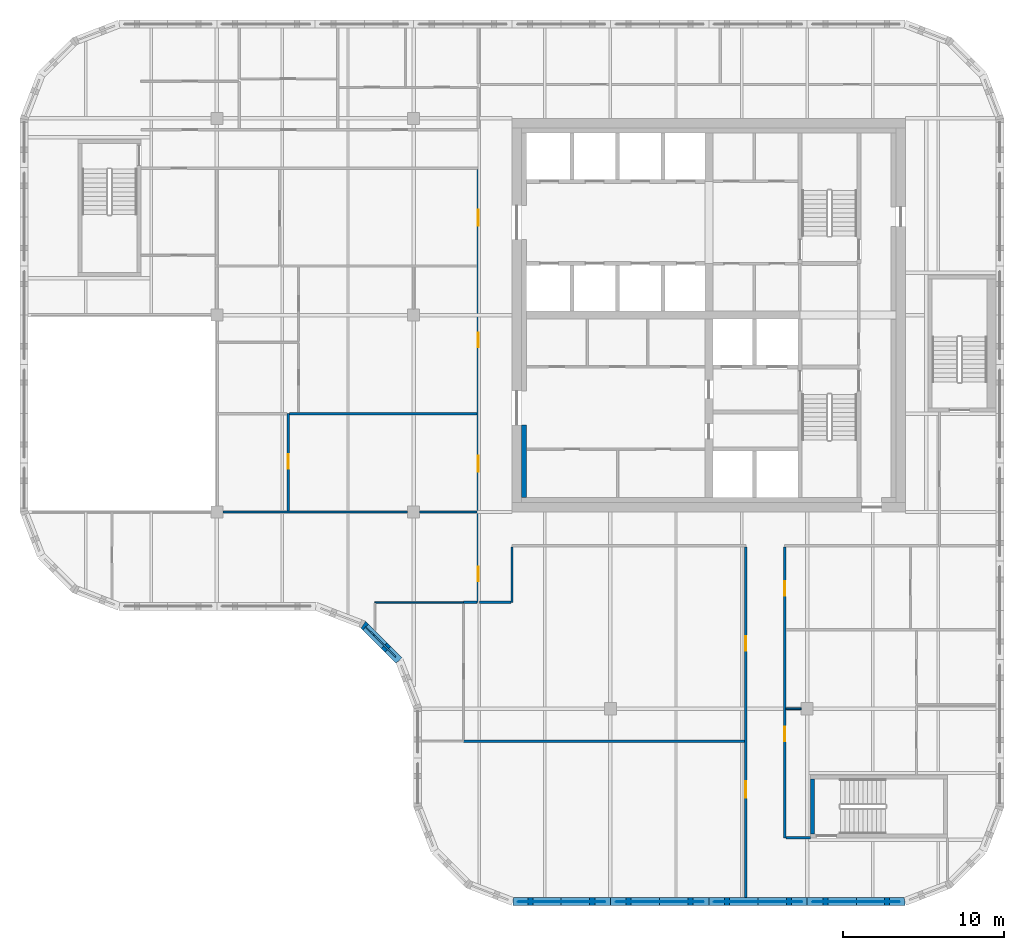
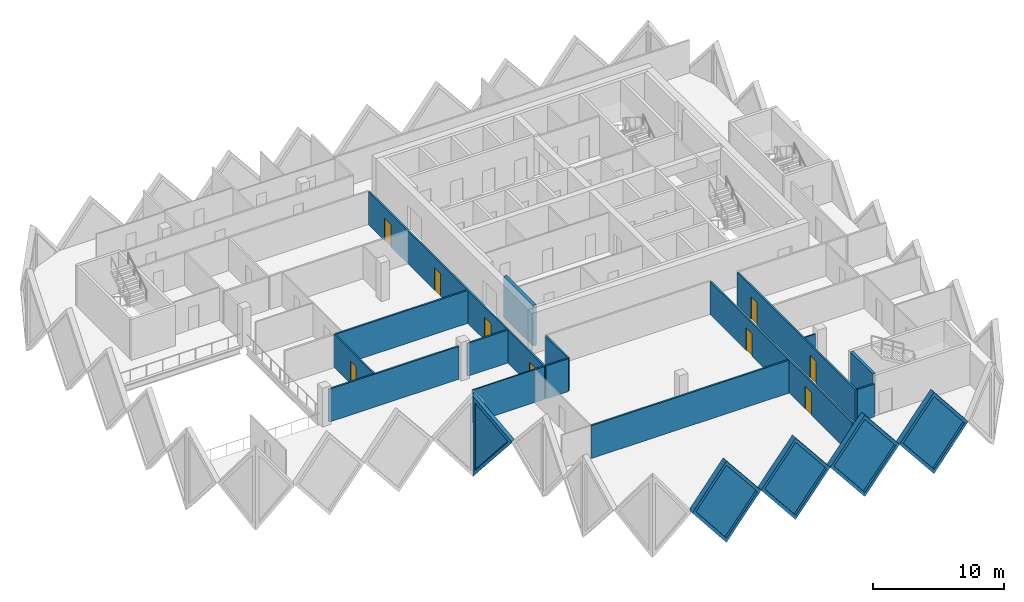
# One storey, part 4 of 11: 21 walls, 9 doors, 5 plates, 14 openings.
"""IFC4 building model written with IfcOpenShell, lengths in metres."""

from ifc_helpers import new_model, si_unit, direction, frame, frame_2d, origin, place, context, subcontext, project, spatial, polyline, rectangle, outline, extrude, faceted_brep, source, transform, mapped, material, layer, layer_set, type_object, element, fill, save


model = new_model("IFC4")

# Units and contexts
model_context = context("Model", 3, precision=1e-05, world=origin(), true_north=direction((0.0, 1.0)))
body_context = subcontext(model_context, "Body", "Model", "MODEL_VIEW")
ifc_project = project(units=[si_unit("LENGTHUNIT", "METRE"), si_unit("AREAUNIT", "SQUARE_METRE"), si_unit("VOLUMEUNIT", "CUBIC_METRE"), si_unit("PLANEANGLEUNIT", "RADIAN"), si_unit("MASSUNIT", "GRAM", prefix="KILO")], contexts=[model_context])

# Site, building, storey
site_placement = place(None, origin())
site = spatial("IfcSite", under=ifc_project, at=site_placement, CompositionType="ELEMENT")
building_placement = place(site_placement, origin())
building = spatial("IfcBuilding", under=site, at=building_placement, Name="Tessera Gate Towers", CompositionType="ELEMENT")
storey_placement = place(building_placement, frame((0.0, 0.0, 174.39990234375)))
storey = spatial("IfcBuildingStorey", under=building, at=storey_placement, Name="L43", CompositionType="ELEMENT", Elevation=174.39990234375)

# Walls
ifc_material_1 = material(Name="Concrete C40/50", Category="concrete")
ifc_layer_1 = layer(ifc_material_1, 0.25)
ifc_layer_set_1 = layer_set([ifc_layer_1], Name="CORE ENCLOSURE WALL 250")
wall_type_1 = type_object("IfcWallType", Name="CORE ENCLOSURE WALL 250", PredefinedType="SOLIDWALL", material=ifc_layer_set_1)
wall_1_placement = place(storey_placement, frame((49.125, 4.449951171875, 0.0), z_axis=(0.0, 0.0, 1.0), x_axis=(0.0, 1.0, 0.0)))
element("IfcWall", 1, at=wall_1_placement, inside=storey, type_object=wall_type_1, Name="L43 ST4 enclosure wall", PredefinedType="SOLIDWALL", context=body_context, shape_type="SweptSolid", body=[
    extrude(rectangle(XDim=3.400146484375, YDim=0.25, at=frame_2d((1.7001953125, 0.0))), origin(), (0.0, 0.0, 1.0), 3.800048828125),
])
ifc_material_2 = material(Name="Concrete C50/60", Category="concrete")
ifc_layer_2 = layer(ifc_material_2, 0.300048828125)
ifc_layer_set_2 = layer_set([ifc_layer_2], Name="CORE WALL THICKENING 300")
wall_type_2 = type_object("IfcWallType", Name="CORE WALL THICKENING 300", PredefinedType="SOLIDWALL", material=ifc_layer_set_2)
wall_2_placement = place(storey_placement, frame((31.25, 25.300048828125, 0.0), z_axis=(0.0, 0.0, 1.0), x_axis=(0.0, 1.0, 0.0)))
element("IfcWall", 2, at=wall_2_placement, inside=storey, type_object=wall_type_2, Name="Core wall thickening W L43", PredefinedType="SOLIDWALL", context=body_context, shape_type="SweptSolid", body=[
    extrude(rectangle(XDim=4.5, YDim=0.300048828125, at=frame_2d((2.25, 0.0))), origin(), (0.0, 0.0, 1.0), 3.800048828125),
])

# Wall, openings, doors
ifc_material_3 = material(Name="Gypsum board on steel studs, mineral wool", Category="steel")
ifc_layer_3 = layer(ifc_material_3, 0.14990234375)
ifc_layer_set_3 = layer_set([ifc_layer_3], Name="CORRIDOR WALL 150")
wall_type_3 = type_object("IfcWallType", Name="CORRIDOR WALL 150", PredefinedType="PARTITIONING", material=ifc_layer_set_3)
wall_3_placement = place(storey_placement, frame((45.0, 0.5, 0.0), z_axis=(0.0, 0.0, 1.0), x_axis=(0.0, 1.0, 0.0)))
wall_3 = element("IfcWall", 3, at=wall_3_placement, inside=storey, type_object=wall_type_3, Name="T1-L43-PW-001", PredefinedType="PARTITIONING", context=body_context, shape_type="SweptSolid", body=[
    extrude(rectangle(XDim=21.72412109375, YDim=0.14990234375, at=frame_2d((10.862060546875, 0.0))), origin(), (0.0, 0.0, 1.0), 3.067138671875),
])
shared_shape_1 = source(origin(), body_context, "Body", "SweptSolid", [
    extrude(rectangle(XDim=1.0, YDim=2.10009765625, at=frame_2d((0.5, 1.050048828125))), frame((0.0, 0.0849609375, 0.0), z_axis=(0.0, -1.0, 0.0), x_axis=(1.0, 0.0, 0.0)), (0.0, 0.0, 1.0), 0.169921875),
])
opening_1_placement = place(wall_3_placement, frame((6.199951171875, 0.0, 0.0)))
opening_1 = element("IfcOpeningElement", 4, at=opening_1_placement, cuts=wall_3, Name="Opening D2100FD60-A15-02", PredefinedType="OPENING", context=body_context, shape_type="MappedRepresentation", body=[
    mapped(shared_shape_1, transform((0.0, 0.0, 0.0), scale=1.0)),
])
shared_shape_2 = source(origin(), body_context, "Body", "SweptSolid", [
    extrude(rectangle(XDim=0.89990234375, YDim=2.10009765625, at=frame_2d((0.449951171875, 1.050048828125))), frame((0.0, 0.0849609375, 0.0), z_axis=(0.0, -1.0, 0.0), x_axis=(1.0, 0.0, 0.0)), (0.0, 0.0, 1.0), 0.169921875),
])
opening_2_placement = place(wall_3_placement, frame((15.300048828125, 0.0, 0.0)))
opening_2 = element("IfcOpeningElement", 5, at=opening_2_placement, cuts=wall_3, Name="Opening D890FD60-A15-09", PredefinedType="OPENING", context=body_context, shape_type="MappedRepresentation", body=[
    mapped(shared_shape_2, transform((0.0, 0.0, 0.0), scale=1.0)),
])
ifc_material_4 = material(Name="Timber door leaf in steel frame", Category="steel")
door_type_1 = type_object("IfcDoorType", Name="CORRIDOR DOOR 900 FD60", OperationType="NOTDEFINED", PredefinedType="DOOR", material=ifc_material_4)
shared_shape_3 = source(origin(), body_context, "Body", "SweptSolid", [
    extrude(rectangle(XDim=0.89990234375, YDim=2.10009765625, at=frame_2d((0.449951171875, 1.050048828125))), frame((0.0, 0.02490234375, 0.0), z_axis=(0.0, -1.0, 0.0), x_axis=(1.0, 0.0, 0.0)), (0.0, 0.0, 1.0), 0.050048828125),
])
door_1_placement = place(opening_2_placement, origin())
door_1 = element("IfcDoor", 6, at=door_1_placement, inside=storey, type_object=door_type_1, Name="T1-L43-PD-026", OperationType="SINGLE_SWING_LEFT", OverallHeight=2.10009765625, OverallWidth=0.89990234375, PredefinedType="DOOR", context=body_context, shape_type="MappedRepresentation", body=[
    mapped(shared_shape_3, transform((0.0, 0.0, 0.0), scale=1.0)),
])
fill(opening_2, door_1)
ifc_material_5 = material(Name="Timber door leaf in steel frame", Category="steel")
door_type_2 = type_object("IfcDoorType", Name="TENANCY ENTRANCE DOOR 1000 FD60", OperationType="NOTDEFINED", PredefinedType="DOOR", material=ifc_material_5)
shared_shape_4 = source(origin(), body_context, "Body", "SweptSolid", [
    extrude(rectangle(XDim=1.0, YDim=2.10009765625, at=frame_2d((0.5, 1.050048828125))), frame((0.0, 0.02490234375, 0.0), z_axis=(0.0, -1.0, 0.0), x_axis=(1.0, 0.0, 0.0)), (0.0, 0.0, 1.0), 0.050048828125),
])
door_2_placement = place(opening_1_placement, origin())
door_2 = element("IfcDoor", 7, at=door_2_placement, inside=storey, type_object=door_type_2, Name="T1-L43-PD-016", OperationType="SINGLE_SWING_LEFT", OverallHeight=2.10009765625, OverallWidth=1.0, PredefinedType="DOOR", context=body_context, shape_type="MappedRepresentation", body=[
    mapped(shared_shape_4, transform((0.0, 0.0, 0.0), scale=1.0)),
])
fill(opening_1, door_2)

wall_4_placement = place(storey_placement, frame((47.39990234375, 22.22412109375, 0.0), z_axis=(0.0, 0.0, 1.0), x_axis=(0.0, -1.0, 0.0)))
wall_4 = element("IfcWall", 8, at=wall_4_placement, inside=storey, type_object=wall_type_3, Name="T1-L43-PW-003", PredefinedType="PARTITIONING", context=body_context, shape_type="SweptSolid", body=[
    extrude(rectangle(XDim=18.024169921875, YDim=0.14990234375, at=frame_2d((9.01220703125, 0.0))), origin(), (0.0, 0.0, 1.0), 3.067138671875),
])
opening_3_placement = place(wall_4_placement, frame((2.123046875, 0.0, 0.0)))
opening_3 = element("IfcOpeningElement", 9, at=opening_3_placement, cuts=wall_4, Name="Opening D890FD60-A15-03", PredefinedType="OPENING", context=body_context, shape_type="MappedRepresentation", body=[
    mapped(shared_shape_2, transform((0.0, 0.0, 0.0), scale=1.0)),
])
opening_4_placement = place(wall_4_placement, frame((11.1240234375, 0.0, 0.0)))
opening_4 = element("IfcOpeningElement", 10, at=opening_4_placement, cuts=wall_4, Name="Opening D890FD60-A15-10", PredefinedType="OPENING", context=body_context, shape_type="MappedRepresentation", body=[
    mapped(shared_shape_2, transform((0.0, 0.0, 0.0), scale=1.0)),
])
door_3_placement = place(opening_3_placement, origin())
door_3 = element("IfcDoor", 11, at=door_3_placement, inside=storey, type_object=door_type_1, Name="T1-L43-PD-011", OperationType="SINGLE_SWING_RIGHT", OverallHeight=2.10009765625, OverallWidth=0.89990234375, PredefinedType="DOOR", context=body_context, shape_type="MappedRepresentation", body=[
    mapped(shared_shape_3, transform((0.0, 0.0, 0.0), scale=1.0)),
])
fill(opening_3, door_3)
door_4_placement = place(opening_4_placement, origin())
door_4 = element("IfcDoor", 12, at=door_4_placement, inside=storey, type_object=door_type_1, Name="T1-L43-PD-027", OperationType="SINGLE_SWING_RIGHT", OverallHeight=2.10009765625, OverallWidth=0.89990234375, PredefinedType="DOOR", context=body_context, shape_type="MappedRepresentation", body=[
    mapped(shared_shape_3, transform((0.0, 0.0, 0.0), scale=1.0)),
])
fill(opening_4, door_4)

# Wall
wall_5_placement = place(storey_placement, frame((47.47607421875, 4.199951171875, 0.0), z_axis=(0.0, 0.0, 1.0), x_axis=(1.0, 0.0, 0.0)))
element("IfcWall", 13, at=wall_5_placement, inside=storey, type_object=wall_type_3, Name="T1-L43-PW-004", PredefinedType="PARTITIONING", context=body_context, shape_type="SweptSolid", body=[
    extrude(rectangle(XDim=1.52392578125, YDim=0.14990234375, at=frame_2d((0.761962890625, 0.0))), origin(), (0.0, 0.0, 1.0), 3.067138671875),
])

# Wall, openings, doors
wall_6_placement = place(storey_placement, frame((28.39990234375, 18.800048828125, 0.0), z_axis=(0.0, 0.0, 1.0), x_axis=(0.0, 1.0, 0.0)))
wall_6 = element("IfcWall", 14, at=wall_6_placement, inside=storey, type_object=wall_type_3, Name="T1-L43-PW-017", PredefinedType="PARTITIONING", context=body_context, shape_type="SweptSolid", body=[
    extrude(rectangle(XDim=26.823974609375, YDim=0.14990234375, at=frame_2d((13.412109375, 0.0))), origin(), (0.0, 0.0, 1.0), 3.067138671875),
])
opening_5_placement = place(wall_6_placement, frame((1.300048828125, 0.0, 0.0)))
opening_5 = element("IfcOpeningElement", 15, at=opening_5_placement, cuts=wall_6, Name="Opening D890FD60-A15-01", PredefinedType="OPENING", context=body_context, shape_type="MappedRepresentation", body=[
    mapped(shared_shape_2, transform((0.0, 0.0, 0.0), scale=1.0)),
])
opening_6_placement = place(wall_6_placement, frame((23.35107421875, 0.0, 0.0)))
opening_6 = element("IfcOpeningElement", 16, at=opening_6_placement, cuts=wall_6, Name="Opening D2100FD60-A15-01", PredefinedType="OPENING", context=body_context, shape_type="MappedRepresentation", body=[
    mapped(shared_shape_1, transform((0.0, 0.0, 0.0), scale=1.0)),
])
opening_7_placement = place(wall_6_placement, frame((8.10009765625, 0.0, 0.0)))
opening_7 = element("IfcOpeningElement", 17, at=opening_7_placement, cuts=wall_6, Name="Opening D2100FD60-A15-03", PredefinedType="OPENING", context=body_context, shape_type="MappedRepresentation", body=[
    mapped(shared_shape_1, transform((0.0, 0.0, 0.0), scale=1.0)),
])
opening_8_placement = place(wall_6_placement, frame((15.800048828125, 0.0, 0.0)))
opening_8 = element("IfcOpeningElement", 18, at=opening_8_placement, cuts=wall_6, Name="Opening D890FD60-A15-08", PredefinedType="OPENING", context=body_context, shape_type="MappedRepresentation", body=[
    mapped(shared_shape_2, transform((0.0, 0.0, 0.0), scale=1.0)),
])
door_5_placement = place(opening_5_placement, origin())
door_5 = element("IfcDoor", 19, at=door_5_placement, inside=storey, type_object=door_type_1, Name="T1-L43-PD-001", OperationType="SINGLE_SWING_LEFT", OverallHeight=2.10009765625, OverallWidth=0.89990234375, PredefinedType="DOOR", context=body_context, shape_type="MappedRepresentation", body=[
    mapped(shared_shape_3, transform((0.0, 0.0, 0.0), scale=1.0)),
])
fill(opening_5, door_5)
door_6_placement = place(opening_8_placement, origin())
door_6 = element("IfcDoor", 20, at=door_6_placement, inside=storey, type_object=door_type_1, Name="T1-L43-PD-025", OperationType="SINGLE_SWING_LEFT", OverallHeight=2.10009765625, OverallWidth=0.89990234375, PredefinedType="DOOR", context=body_context, shape_type="MappedRepresentation", body=[
    mapped(shared_shape_3, transform((0.0, 0.0, 0.0), scale=1.0)),
])
fill(opening_8, door_6)
door_7_placement = place(opening_6_placement, origin())
door_7 = element("IfcDoor", 21, at=door_7_placement, inside=storey, type_object=door_type_2, Name="T1-L43-PD-014", OperationType="SINGLE_SWING_LEFT", OverallHeight=2.10009765625, OverallWidth=1.0, PredefinedType="DOOR", context=body_context, shape_type="MappedRepresentation", body=[
    mapped(shared_shape_4, transform((0.0, 0.0, 0.0), scale=1.0)),
])
fill(opening_6, door_7)
door_8_placement = place(opening_7_placement, origin())
door_8 = element("IfcDoor", 22, at=door_8_placement, inside=storey, type_object=door_type_2, Name="T1-L43-PD-020", OperationType="SINGLE_SWING_LEFT", OverallHeight=2.10009765625, OverallWidth=1.0, PredefinedType="DOOR", context=body_context, shape_type="MappedRepresentation", body=[
    mapped(shared_shape_4, transform((0.0, 0.0, 0.0), scale=1.0)),
])
fill(opening_7, door_8)

# Walls
wall_7_placement = place(storey_placement, frame((28.47607421875, 18.800048828125, 0.0), z_axis=(0.0, 0.0, 1.0), x_axis=(1.0, 0.0, 0.0)))
element("IfcWall", 23, at=wall_7_placement, inside=storey, type_object=wall_type_3, Name="T1-L43-PW-018", PredefinedType="PARTITIONING", context=body_context, shape_type="SweptSolid", body=[
    extrude(rectangle(XDim=1.947998046875, YDim=0.14990234375, at=frame_2d((0.97412109375, 0.0))), origin(), (0.0, 0.0, 1.0), 3.067138671875),
])
wall_8_placement = place(storey_placement, frame((30.5, 18.800048828125, 0.0), z_axis=(0.0, 0.0, 1.0), x_axis=(0.0, 1.0, 0.0)))
element("IfcWall", 24, at=wall_8_placement, inside=storey, type_object=wall_type_3, Name="T1-L43-PW-019", PredefinedType="PARTITIONING", context=body_context, shape_type="SweptSolid", body=[
    extrude(rectangle(XDim=3.424072265625, YDim=0.14990234375, at=frame_2d((1.7119140625, 0.0))), origin(), (0.0, 0.0, 1.0), 3.067138671875),
])
ifc_material_6 = material(Name="Glass", Category="glass")
ifc_layer_4 = layer(ifc_material_6, 0.10009765625)
ifc_layer_set_4 = layer_set([ifc_layer_4], Name="GLAZED PARTITION 100")
wall_type_4 = type_object("IfcWallType", Name="GLAZED PARTITION 100", PredefinedType="PARTITIONING", material=ifc_layer_set_4)
wall_9_placement = place(storey_placement, frame((22.0, 18.800048828125, 0.0), z_axis=(0.0, 0.0, 1.0), x_axis=(1.0, 0.0, 0.0)))
element("IfcWall", 25, at=wall_9_placement, inside=storey, type_object=wall_type_4, Name="T1-L43-PW-015", PredefinedType="PARTITIONING", context=body_context, shape_type="SweptSolid", body=[
    extrude(rectangle(XDim=5.4990234375, YDim=0.10009765625, at=frame_2d((2.74951171875, 0.0))), origin(), (0.0, 0.0, 1.0), 3.067138671875),
])
ifc_material_7 = material(Name="Gypsum board on steel studs", Category="steel")
ifc_layer_5 = layer(ifc_material_7, 0.10009765625)
ifc_layer_set_5 = layer_set([ifc_layer_5], Name="PARTITION 100")
wall_type_5 = type_object("IfcWallType", Name="PARTITION 100", PredefinedType="PARTITIONING", material=ifc_layer_set_5)
wall_10_placement = place(storey_placement, frame((48.425048828125, 12.199951171875, 0.0), z_axis=(0.0, 0.0, 1.0), x_axis=(-1.0, 0.0, 0.0)))
element("IfcWall", 26, at=wall_10_placement, inside=storey, type_object=wall_type_5, Name="T1-L43-PW-009", PredefinedType="PARTITIONING", context=body_context, shape_type="SweptSolid", body=[
    extrude(rectangle(XDim=0.949951171875, YDim=0.10009765625, at=frame_2d((0.47509765625, 0.0))), origin(), (0.0, 0.0, 1.0), 3.067138671875),
])
ifc_material_8 = material(Name="Gypsum board on steel studs, mineral wool", Category="steel")
ifc_layer_6 = layer(ifc_material_8, 0.14990234375)
ifc_layer_set_6 = layer_set([ifc_layer_6], Name="TENANCY WALL 150")
wall_type_6 = type_object("IfcWallType", Name="TENANCY WALL 150", PredefinedType="PARTITIONING", material=ifc_layer_set_6)
wall_11_placement = place(storey_placement, frame((27.5, 10.199951171875, 0.0), z_axis=(0.0, 0.0, 1.0), x_axis=(1.0, 0.0, 0.0)))
element("IfcWall", 27, at=wall_11_placement, inside=storey, type_object=wall_type_6, Name="T1-L43-PW-007", PredefinedType="PARTITIONING", context=body_context, shape_type="SweptSolid", body=[
    extrude(rectangle(XDim=17.424072265625, YDim=0.14990234375, at=frame_2d((8.7119140625, 0.0))), origin(), (0.0, 0.0, 1.0), 3.067138671875),
])
wall_12_placement = place(storey_placement, frame((27.5, 18.800048828125, 0.0), z_axis=(0.0, 0.0, 1.0), x_axis=(1.0, 0.0, 0.0)))
element("IfcWall", 28, at=wall_12_placement, inside=storey, type_object=wall_type_6, Name="T1-L43-PW-016", PredefinedType="PARTITIONING", context=body_context, shape_type="SweptSolid", body=[
    extrude(rectangle(XDim=0.823974609375, YDim=0.14990234375, at=frame_2d((0.412109375, 0.0))), origin(), (0.0, 0.0, 1.0), 3.067138671875),
])
wall_13_placement = place(storey_placement, frame((12.575927734375, 24.39990234375, 0.0), z_axis=(0.0, 0.0, 1.0), x_axis=(1.0, 0.0, 0.0)))
element("IfcWall", 29, at=wall_13_placement, inside=storey, type_object=wall_type_6, Name="T1-L43-PW-025", PredefinedType="PARTITIONING", context=body_context, shape_type="SweptSolid", body=[
    extrude(rectangle(XDim=11.447998046875, YDim=0.14990234375, at=frame_2d((5.72412109375, 0.0))), origin(), (0.0, 0.0, 1.0), 3.067138671875),
])
wall_14_placement = place(storey_placement, frame((24.77587890625, 24.39990234375, 0.0), z_axis=(0.0, 0.0, 1.0), x_axis=(1.0, 0.0, 0.0)))
element("IfcWall", 30, at=wall_14_placement, inside=storey, type_object=wall_type_6, Name="T1-L43-PW-026", PredefinedType="PARTITIONING", context=body_context, shape_type="SweptSolid", body=[
    extrude(rectangle(XDim=3.548095703125, YDim=0.14990234375, at=frame_2d((1.77392578125, 0.0))), origin(), (0.0, 0.0, 1.0), 3.067138671875),
])

# Wall, opening, door
wall_15_placement = place(storey_placement, frame((16.625, 24.47607421875, 0.0), z_axis=(0.0, 0.0, 1.0), x_axis=(0.0, 1.0, 0.0)))
wall_15 = element("IfcWall", 31, at=wall_15_placement, inside=storey, type_object=wall_type_6, Name="T1-L43-PW-027", PredefinedType="PARTITIONING", context=body_context, shape_type="SweptSolid", body=[
    extrude(rectangle(XDim=6.02392578125, YDim=0.14990234375, at=frame_2d((3.011962890625, 0.0))), origin(), (0.0, 0.0, 1.0), 3.067138671875),
])
opening_9_placement = place(wall_15_placement, frame((2.60009765625, 0.0, 0.0)))
opening_9 = element("IfcOpeningElement", 32, at=opening_9_placement, cuts=wall_15, Name="Opening D190-A15-12", PredefinedType="OPENING", context=body_context, shape_type="MappedRepresentation", body=[
    mapped(shared_shape_2, transform((0.0, 0.0, 0.0), scale=1.0)),
])
ifc_material_9 = material(Name="Timber door leaf in steel frame", Category="steel")
door_type_3 = type_object("IfcDoorType", Name="INTERNAL DOOR 900 NOT RATED", OperationType="NOTDEFINED", PredefinedType="DOOR", material=ifc_material_9)
door_9_placement = place(opening_9_placement, origin())
door_9 = element("IfcDoor", 33, at=door_9_placement, inside=storey, type_object=door_type_3, Name="T1-L43-PD-018", OperationType="SINGLE_SWING_LEFT", OverallHeight=2.10009765625, OverallWidth=0.89990234375, PredefinedType="DOOR", context=body_context, shape_type="MappedRepresentation", body=[
    mapped(shared_shape_3, transform((0.0, 0.0, 0.0), scale=1.0)),
])
fill(opening_9, door_9)

# Wall
wall_16_placement = place(storey_placement, frame((16.700927734375, 30.5, 0.0), z_axis=(0.0, 0.0, 1.0), x_axis=(1.0, 0.0, 0.0)))
element("IfcWall", 34, at=wall_16_placement, inside=storey, type_object=wall_type_6, Name="T1-L43-PW-029", PredefinedType="PARTITIONING", context=body_context, shape_type="SweptSolid", body=[
    extrude(rectangle(XDim=11.623046875, YDim=0.14990234375, at=frame_2d((5.8115234375, 0.0))), origin(), (0.0, 0.0, 1.0), 3.067138671875),
])

# Wall, opening, plate
ifc_material_10 = material(Name="Precast concrete C60/75 white", Category="concrete")
ifc_layer_7 = layer(ifc_material_10, 0.5)
ifc_layer_set_7 = layer_set([ifc_layer_7], Name="TS1 tessera")
wall_type_7 = type_object("IfcWallType", Name="TS1 tessera", PredefinedType="SOLIDWALL", material=ifc_layer_set_7)
shared_shape_5 = source(origin(), body_context, "Body", "Brep", [
    faceted_brep([(3.050048828125, -0.25, 0.0), (6.099853515625, -0.25, 3.799560546875), (6.099853515625, -0.25, 3.800048828125), (3.050048828125, -0.25, 7.599853515625), (0.0, -0.25, 3.7998046875), (0.0, 0.25, 3.7998046875), (3.050048828125, 0.25, 7.599853515625), (6.099853515625, 0.25, 3.800048828125), (6.099853515625, 0.25, 3.799560546875), (3.050048828125, 0.25, 0.0)], [[[0, 1, 2, 3, 4]], [[5, 6, 7, 8, 9]], [[9, 8, 1, 0]], [[7, 6, 3, 2]], [[6, 5, 4, 3]], [[5, 9, 0, 4]], [[1, 8, 7, 2]]]),
])
wall_17_placement = place(storey_placement, frame((36.60009765625, 0.25, -3.7998046875), z_axis=(0.0, 0.0, 1.0), x_axis=(1.0, 0.0, 0.0)))
wall_17 = element("IfcWall", 35, at=wall_17_placement, inside=storey, type_object=wall_type_7, Name="Precast tessera T1 TS1-0737", PredefinedType="SOLIDWALL", context=body_context, shape_type="MappedRepresentation", body=[
    mapped(shared_shape_5, transform((0.0, 0.0, 0.0), scale=1.0)),
])
shared_shape_6 = source(origin(), body_context, "Body", "SweptSolid", [
    extrude(outline(polyline([(3.050048828125, 0.3994140625), (5.779541015625, 3.7998046875), (3.050048828125, 7.200439453125), (0.320556640625, 3.7998046875), (3.050048828125, 0.3994140625)])), frame((0.0, 0.260009765625, 0.0), z_axis=(0.0, -1.0, 0.0), x_axis=(1.0, 0.0, 0.0)), (0.0, 0.0, 1.0), 0.52001953125),
])
opening_10_placement = place(wall_17_placement, origin())
opening_10 = element("IfcOpeningElement", 36, at=opening_10_placement, cuts=wall_17, Name="Opening T1-PL2-1505", PredefinedType="OPENING", context=body_context, shape_type="MappedRepresentation", body=[
    mapped(shared_shape_6, transform((0.0, 0.0, 0.0), scale=1.0)),
])
ifc_material_11 = material(Name="Low-e laminated glass", Category="glass")
ifc_layer_8 = layer(ifc_material_11, 0.06005859375)
ifc_layer_set_8 = layer_set([ifc_layer_8], Name="PL2 rhombic pane")
plate_type = type_object("IfcPlateType", Name="PL2 rhombic pane", PredefinedType="SHEET", material=ifc_layer_set_8)
shared_shape_7 = source(origin(), body_context, "Body", "SweptSolid", [
    extrude(outline(polyline([(3.050048828125, 0.3994140625), (5.779541015625, 3.7998046875), (3.050048828125, 7.200439453125), (0.320556640625, 3.7998046875), (3.050048828125, 0.3994140625)])), frame((0.0, 0.030029296875, 0.0), z_axis=(0.0, -1.0, 0.0), x_axis=(1.0, 0.0, 0.0)), (0.0, 0.0, 1.0), 0.06005859375),
])
plate_1_placement = place(opening_10_placement, origin())
plate_1 = element("IfcPlate", 37, at=plate_1_placement, inside=storey, type_object=plate_type, Name="Glass pane T1 PL2-1505", PredefinedType="SHEET", context=body_context, shape_type="MappedRepresentation", body=[
    mapped(shared_shape_7, transform((0.0, 0.0, 0.0), scale=1.0)),
])
fill(opening_10, plate_1)

shared_shape_8 = source(origin(), body_context, "Body", "SweptSolid", [
    extrude(outline(polyline([(3.050048828125, 0.0), (6.10009765625, 3.7998046875), (3.050048828125, 7.599853515625), (0.0, 3.7998046875), (3.050048828125, 0.0)])), frame((0.0, 0.25, 0.0), z_axis=(0.0, -1.0, 0.0), x_axis=(1.0, 0.0, 0.0)), (0.0, 0.0, 1.0), 0.5),
])
wall_18_placement = place(storey_placement, frame((42.699951171875, 0.25, -3.7998046875), z_axis=(0.0, 0.0, 1.0), x_axis=(1.0, 0.0, 0.0)))
wall_18 = element("IfcWall", 38, at=wall_18_placement, inside=storey, type_object=wall_type_7, Name="Precast tessera T1 TS1-0738", PredefinedType="SOLIDWALL", context=body_context, shape_type="MappedRepresentation", body=[
    mapped(shared_shape_8, transform((0.0, 0.0, 0.0), scale=1.0)),
])
opening_11_placement = place(wall_18_placement, origin())
opening_11 = element("IfcOpeningElement", 39, at=opening_11_placement, cuts=wall_18, Name="Opening T1-PL2-1506", PredefinedType="OPENING", context=body_context, shape_type="MappedRepresentation", body=[
    mapped(shared_shape_6, transform((0.0, 0.0, 0.0), scale=1.0)),
])
plate_2_placement = place(opening_11_placement, origin())
plate_2 = element("IfcPlate", 40, at=plate_2_placement, inside=storey, type_object=plate_type, Name="Glass pane T1 PL2-1506", PredefinedType="SHEET", context=body_context, shape_type="MappedRepresentation", body=[
    mapped(shared_shape_7, transform((0.0, 0.0, 0.0), scale=1.0)),
])
fill(opening_11, plate_2)

shared_shape_9 = source(origin(), body_context, "Body", "Brep", [
    faceted_brep([(3.00341796875, -0.25, 0.0), (6.053466796875, -0.25, 3.7998046875), (3.00341796875, -0.25, 7.599853515625), (0.0, -0.25, 3.7998046875), (0.046630859375, 0.25, 3.858642578125), (3.00341796875, 0.25, 7.599853515625), (6.053466796875, 0.25, 3.7998046875), (3.00341796875, 0.25, 0.0), (0.046630859375, 0.25, 3.740966796875), (0.0, 0.0, 3.7998046875)], [[[0, 1, 2, 3]], [[4, 5, 6, 7, 8]], [[7, 6, 1, 0]], [[6, 5, 2, 1]], [[5, 4, 9, 3, 2]], [[8, 7, 0, 3, 9]], [[8, 9, 4]]]),
])
wall_19_placement = place(storey_placement, frame((30.546630859375, 0.25, -3.7998046875), z_axis=(0.0, 0.0, 1.0), x_axis=(1.0, 0.0, 0.0)))
wall_19 = element("IfcWall", 41, at=wall_19_placement, inside=storey, type_object=wall_type_7, Name="Precast tessera T1 TS1-0736", PredefinedType="SOLIDWALL", context=body_context, shape_type="MappedRepresentation", body=[
    mapped(shared_shape_9, transform((0.0, 0.0, 0.0), scale=1.0)),
])
shared_shape_10 = source(origin(), body_context, "Body", "SweptSolid", [
    extrude(outline(polyline([(3.0048828125, 0.401123046875), (5.73291015625, 3.7998046875), (3.0048828125, 7.19873046875), (0.318603515625, 3.7998046875), (3.0048828125, 0.401123046875)])), frame((0.0, 0.260009765625, 0.0), z_axis=(0.0, -1.0, 0.0), x_axis=(1.0, 0.0, 0.0)), (0.0, 0.0, 1.0), 0.52001953125),
])
opening_12_placement = place(wall_19_placement, origin())
opening_12 = element("IfcOpeningElement", 42, at=opening_12_placement, cuts=wall_19, Name="Opening T1-PL2-1504", PredefinedType="OPENING", context=body_context, shape_type="MappedRepresentation", body=[
    mapped(shared_shape_10, transform((0.0, 0.0, 0.0), scale=1.0)),
])
shared_shape_11 = source(origin(), body_context, "Body", "SweptSolid", [
    extrude(outline(polyline([(3.0048828125, 0.401123046875), (5.73291015625, 3.7998046875), (3.0048828125, 7.19873046875), (0.318603515625, 3.7998046875), (3.0048828125, 0.401123046875)])), frame((0.0, 0.030029296875, 0.0), z_axis=(0.0, -1.0, 0.0), x_axis=(1.0, 0.0, 0.0)), (0.0, 0.0, 1.0), 0.06005859375),
])
plate_3_placement = place(opening_12_placement, origin())
plate_3 = element("IfcPlate", 43, at=plate_3_placement, inside=storey, type_object=plate_type, Name="Glass pane T1 PL2-1504", PredefinedType="SHEET", context=body_context, shape_type="MappedRepresentation", body=[
    mapped(shared_shape_11, transform((0.0, 0.0, 0.0), scale=1.0)),
])
fill(opening_12, plate_3)

shared_shape_12 = source(origin(), body_context, "Body", "Brep", [
    faceted_brep([(3.050048828125, -0.25, 0.0), (6.053466796875, -0.25, 3.7998046875), (3.050048828125, -0.25, 7.599853515625), (0.0, -0.25, 3.7998046875), (0.0, 0.25, 3.7998046875), (3.050048828125, 0.25, 7.599853515625), (6.0068359375, 0.25, 3.858642578125), (6.0068359375, 0.25, 3.740966796875), (3.050048828125, 0.25, 0.0), (6.053466796875, 0.0, 3.7998046875)], [[[0, 1, 2, 3]], [[4, 5, 6, 7, 8]], [[8, 7, 9, 1, 0]], [[6, 5, 2, 1, 9]], [[5, 4, 3, 2]], [[4, 8, 0, 3]], [[9, 7, 6]]]),
])
wall_20_placement = place(storey_placement, frame((48.800048828125, 0.25, -3.7998046875), z_axis=(0.0, 0.0, 1.0), x_axis=(1.0, 0.0, 0.0)))
wall_20 = element("IfcWall", 44, at=wall_20_placement, inside=storey, type_object=wall_type_7, Name="Precast tessera T1 TS1-0739", PredefinedType="SOLIDWALL", context=body_context, shape_type="MappedRepresentation", body=[
    mapped(shared_shape_12, transform((0.0, 0.0, 0.0), scale=1.0)),
])
shared_shape_13 = source(origin(), body_context, "Body", "SweptSolid", [
    extrude(outline(polyline([(3.048583984375, 0.401123046875), (5.73486328125, 3.7998046875), (3.048583984375, 7.19873046875), (0.320556640625, 3.7998046875), (3.048583984375, 0.401123046875)])), frame((0.0, 0.260009765625, 0.0), z_axis=(0.0, -1.0, 0.0), x_axis=(1.0, 0.0, 0.0)), (0.0, 0.0, 1.0), 0.52001953125),
])
opening_13_placement = place(wall_20_placement, origin())
opening_13 = element("IfcOpeningElement", 45, at=opening_13_placement, cuts=wall_20, Name="Opening T1-PL2-1507", PredefinedType="OPENING", context=body_context, shape_type="MappedRepresentation", body=[
    mapped(shared_shape_13, transform((0.0, 0.0, 0.0), scale=1.0)),
])
shared_shape_14 = source(origin(), body_context, "Body", "SweptSolid", [
    extrude(outline(polyline([(3.048583984375, 0.401123046875), (5.73486328125, 3.7998046875), (3.048583984375, 7.19873046875), (0.320556640625, 3.7998046875), (3.048583984375, 0.401123046875)])), frame((0.0, 0.030029296875, 0.0), z_axis=(0.0, -1.0, 0.0), x_axis=(1.0, 0.0, 0.0)), (0.0, 0.0, 1.0), 0.06005859375),
])
plate_4_placement = place(opening_13_placement, origin())
plate_4 = element("IfcPlate", 46, at=plate_4_placement, inside=storey, type_object=plate_type, Name="Glass pane T1 PL2-1507", PredefinedType="SHEET", context=body_context, shape_type="MappedRepresentation", body=[
    mapped(shared_shape_14, transform((0.0, 0.0, 0.0), scale=1.0)),
])
fill(opening_13, plate_4)

ifc_material_12 = material(Name="Precast concrete C60/75 white", Category="concrete")
ifc_layer_9 = layer(ifc_material_12, 0.5)
ifc_layer_set_9 = layer_set([ifc_layer_9], Name="TS3 corner tessera")
wall_type_8 = type_object("IfcWallType", Name="TS3 corner tessera", PredefinedType="SOLIDWALL", material=ifc_layer_set_9)
shared_shape_15 = source(origin(), body_context, "Body", "Brep", [
    faceted_brep([(0.10595703125, -0.25, 0.063720703125), (3.156005859375, -0.25, 3.736083984375), (3.156005859375, -0.25, 3.863525390625), (0.10595703125, -0.25, 7.5361328125), (0.0, 0.25, 7.535888671875), (0.052978515625, 0.25, 7.599853515625), (3.208740234375, 0.25, 3.7998046875), (0.052978515625, 0.25, 0.0), (0.0, 0.25, 0.06396484375), (3.208740234375, -0.00048828125, 3.7998046875), (0.052978515625, 0.0, 0.0), (0.052978515625, 0.0, 7.599853515625)], [[[0, 1, 2, 3]], [[4, 5, 6, 7, 8]], [[7, 6, 9, 1, 0, 10]], [[6, 5, 11, 3, 2, 9]], [[5, 4, 11]], [[8, 7, 10]], [[8, 10, 0, 3, 11, 4]], [[1, 9, 2]]]),
])
wall_21_placement = place(storey_placement, frame((21.24755859375, 17.453857421875, -3.7998046875), z_axis=(0.0, 0.0, 1.0), x_axis=(0.707106781187, -0.707106781187, 0.0)))
wall_21 = element("IfcWall", 47, at=wall_21_placement, inside=storey, type_object=wall_type_8, Name="Precast corner tessera T1 TS3-1002", PredefinedType="SOLIDWALL", context=body_context, shape_type="MappedRepresentation", body=[
    mapped(shared_shape_15, transform((0.0, 0.0, 0.0), scale=1.0)),
])
shared_shape_16 = source(origin(), body_context, "Body", "SweptSolid", [
    extrude(outline(polyline([(0.2529296875, 0.632080078125), (2.8837890625, 3.7998046875), (0.2529296875, 6.9677734375), (0.2529296875, 0.632080078125)])), frame((0.0, 0.260009765625, 0.0), z_axis=(0.0, -1.0, 0.0), x_axis=(1.0, 0.0, 0.0)), (0.0, 0.0, 1.0), 0.52001953125),
])
opening_14_placement = place(wall_21_placement, origin())
opening_14 = element("IfcOpeningElement", 48, at=opening_14_placement, cuts=wall_21, Name="Opening T1-PL2-1544", PredefinedType="OPENING", context=body_context, shape_type="MappedRepresentation", body=[
    mapped(shared_shape_16, transform((0.0, 0.0, 0.0), scale=1.0)),
])
shared_shape_17 = source(origin(), body_context, "Body", "SweptSolid", [
    extrude(outline(polyline([(0.2529296875, 0.632080078125), (2.8837890625, 3.7998046875), (0.2529296875, 6.9677734375), (0.2529296875, 0.632080078125)])), frame((0.0, 0.030029296875, 0.0), z_axis=(0.0, -1.0, 0.0), x_axis=(1.0, 0.0, 0.0)), (0.0, 0.0, 1.0), 0.06005859375),
])
plate_5_placement = place(opening_14_placement, origin())
plate_5 = element("IfcPlate", 49, at=plate_5_placement, inside=storey, type_object=plate_type, Name="Glass pane T1 PL2-1544", PredefinedType="SHEET", context=body_context, shape_type="MappedRepresentation", body=[
    mapped(shared_shape_17, transform((0.0, 0.0, 0.0), scale=1.0)),
])
fill(opening_14, plate_5)

save(model, "model.ifc")
